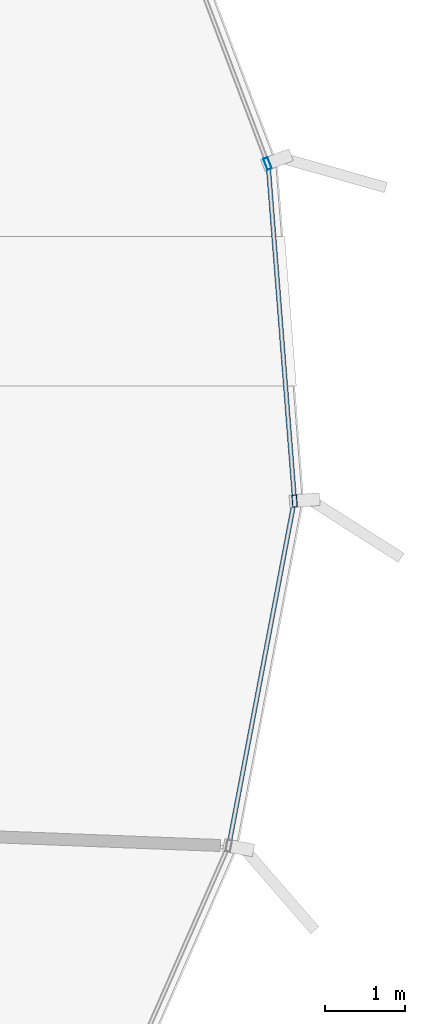
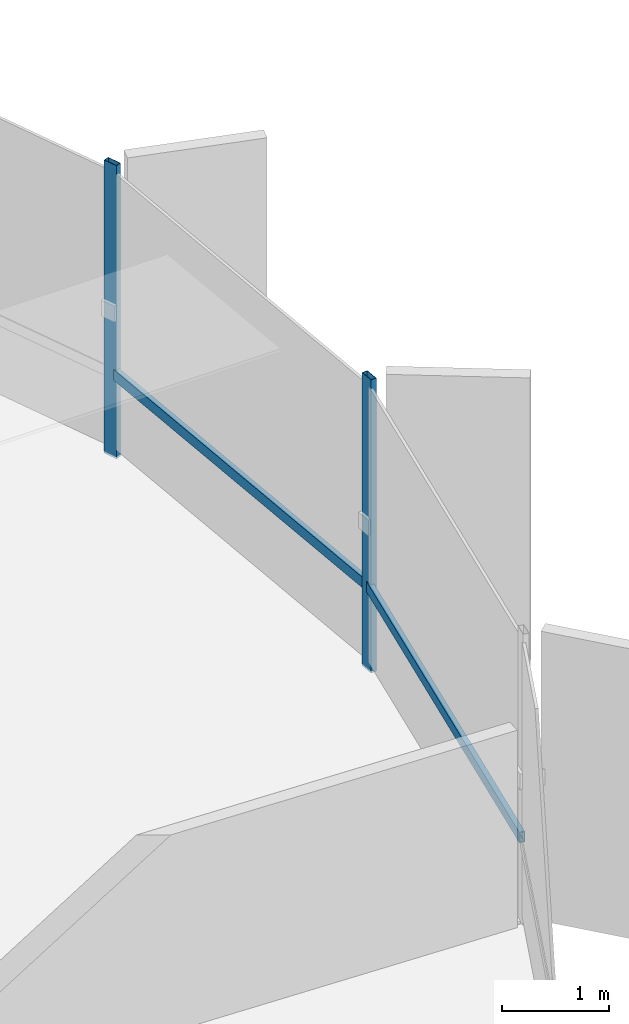
# One storey, part 16 of 35: 4 members, 2 elements without a shape of their own.
"""IFC4 building model written with IfcOpenShell, lengths in metres."""

from ifc_helpers import new_model, si_unit, direction, frame, origin, origin_2d, place, context, subcontext, project, spatial, hollow_rectangle, extrude, source, transform, mapped, material, layer, layer_set, material_profile, profile_set, type_object, element, aggregate, save


model = new_model("IFC4")

# Units and contexts
model_context = context("Model", 3, precision=1e-05, world=origin(), true_north=direction((0.0, 1.0)))
body_context = subcontext(model_context, "Body", "Model", "MODEL_VIEW")
ifc_project = project(units=[si_unit("LENGTHUNIT", "METRE"), si_unit("AREAUNIT", "SQUARE_METRE"), si_unit("VOLUMEUNIT", "CUBIC_METRE"), si_unit("PLANEANGLEUNIT", "RADIAN"), si_unit("MASSUNIT", "GRAM", prefix="KILO"), si_unit("THERMODYNAMICTEMPERATUREUNIT", "KELVIN")], contexts=[model_context])

# Site, building, storey
site_placement = place(None, origin())
site = spatial("IfcSite", under=ifc_project, at=site_placement, CompositionType="ELEMENT")
building_placement = place(site_placement, origin())
building = spatial("IfcBuilding", under=site, at=building_placement, Name="Kethvar Cultural Tower", CompositionType="ELEMENT")
storey_placement = place(building_placement, frame((0.0, 0.0, 85.60009765625)))
storey = spatial("IfcBuildingStorey", under=building, at=storey_placement, Name="L20", CompositionType="ELEMENT", Elevation=85.60009765625)

# Curtain wall, member
ifc_material = material(Name="Aluminium 6063-T6", Category="aluminium")
ifc_layer = layer(ifc_material, 0.179931640625, Name="Aluminium 6063-T6", Category="aluminium")
ifc_layer_set = layer_set([ifc_layer], Name="Aluminium 6063-T6 (180 mm)")
curtain_wall_type = type_object("IfcCurtainWallType", Name="CW-SYS-03-Z2", PredefinedType="NOTDEFINED", material=ifc_layer_set)
curtain_wall_1_placement = place(storey_placement, origin())
curtain_wall_1 = element("IfcCurtainWall", 1, at=curtain_wall_1_placement, inside=storey, type_object=curtain_wall_type, Name="L20 Curtain Wall Run 01", PredefinedType="NOTDEFINED")
ifc_material_profile_1 = material_profile(ifc_material, hollow_rectangle(XDim=0.06005859375, YDim=0.14990234375, WallThickness=0.0048828125, at=origin_2d()), Name="Aluminium 6063-T6 — RHS150x60x5")
ifc_profile_set_1 = profile_set([ifc_material_profile_1], Name="Aluminium 6063-T6 — RHS150x60x5")
member_type_1 = type_object("IfcMemberType", Name="CW-SYS-03-Z2-MUL", PredefinedType="MULLION", material=ifc_profile_set_1)
shared_shape_1 = source(origin(), body_context, "Body", "SweptSolid", [
    extrude(hollow_rectangle(XDim=0.06005859375, YDim=0.14990234375, WallThickness=0.0048828125, at=origin_2d()), origin(), (0.0, 0.0, 1.0), 3.349853515625),
])
member_1_placement = place(storey_placement, frame((79.2958984375, 35.086669921875, 0.0), z_axis=(0.0, 0.0, 1.0), x_axis=(-0.935351459276, -0.353719730338, 0.0)))
member_1 = element("IfcMember", 2, at=member_1_placement, type_object=member_type_1, Name="CW-L20-R01 Mullion 1", PredefinedType="MULLION", context=body_context, shape_type="MappedRepresentation", body=[
    mapped(shared_shape_1, transform((0.0, 0.0, 0.0), scale=1.0)),
])
aggregate(curtain_wall_1, [member_1])

# Curtain wall, members
curtain_wall_2_placement = place(storey_placement, origin())
curtain_wall_2 = element("IfcCurtainWall", 3, at=curtain_wall_2_placement, inside=storey, type_object=curtain_wall_type, Name="L20 Curtain Wall Run 06", PredefinedType="NOTDEFINED")
member_2_placement = place(storey_placement, frame((79.633544921875, 30.864013671875, 0.0), z_axis=(0.0, 0.0, 1.0), x_axis=(-0.996936475146, -0.07821550053, 0.0)))
member_2 = element("IfcMember", 4, at=member_2_placement, type_object=member_type_1, Name="CW-L20-R06 Mullion 6", PredefinedType="MULLION", context=body_context, shape_type="MappedRepresentation", body=[
    mapped(shared_shape_1, transform((0.0, 0.0, 0.0), scale=1.0)),
])
ifc_material_profile_2 = material_profile(ifc_material, hollow_rectangle(XDim=0.054931640625, YDim=0.1201171875, WallThickness=0.00390625, at=origin_2d()), Name="Aluminium 6063-T6 — RHS120x55x4")
ifc_profile_set_2 = profile_set([ifc_material_profile_2], Name="Aluminium 6063-T6 — RHS120x55x4")
member_type_2 = type_object("IfcMemberType", Name="CW-SYS-03-Z2-TRN", PredefinedType="USERDEFINED", material=ifc_profile_set_2)
shared_shape_2 = source(origin(), body_context, "Body", "SweptSolid", [
    extrude(hollow_rectangle(XDim=0.054931640625, YDim=0.1201171875, WallThickness=0.00390625, at=origin_2d()), origin(), (0.0, 0.0, 1.0), 4.3369140625),
])
member_3_placement = place(storey_placement, frame((78.818115234375, 26.59130859375, 0.949951171875), z_axis=(0.186558499438, 0.982443854013, 0.0), x_axis=(-0.982443854013, 0.186558499438, 0.0)))
member_3 = element("IfcMember", 5, at=member_3_placement, type_object=member_type_2, Name="CW-L20-R06 Transom 5", ObjectType="TRANSOM", PredefinedType="USERDEFINED", context=body_context, shape_type="MappedRepresentation", body=[
    mapped(shared_shape_2, transform((0.0, 0.0, 0.0), scale=1.0)),
])
shared_shape_3 = source(origin(), body_context, "Body", "SweptSolid", [
    extrude(hollow_rectangle(XDim=0.054931640625, YDim=0.1201171875, WallThickness=0.00390625, at=origin_2d()), origin(), (0.0, 0.0, 1.0), 4.144287109375),
])
member_4_placement = place(storey_placement, frame((79.630126953125, 30.9072265625, 0.949951171875), z_axis=(-0.078232574594, 0.996935135439, 0.0), x_axis=(-0.996935135439, -0.078232574594, 0.0)))
member_4 = element("IfcMember", 6, at=member_4_placement, type_object=member_type_2, Name="CW-L20-R06 Transom 6", ObjectType="TRANSOM", PredefinedType="USERDEFINED", context=body_context, shape_type="MappedRepresentation", body=[
    mapped(shared_shape_3, transform((0.0, 0.0, 0.0), scale=1.0)),
])
aggregate(curtain_wall_2, [member_2, member_3, member_4])

save(model, "model.ifc")
